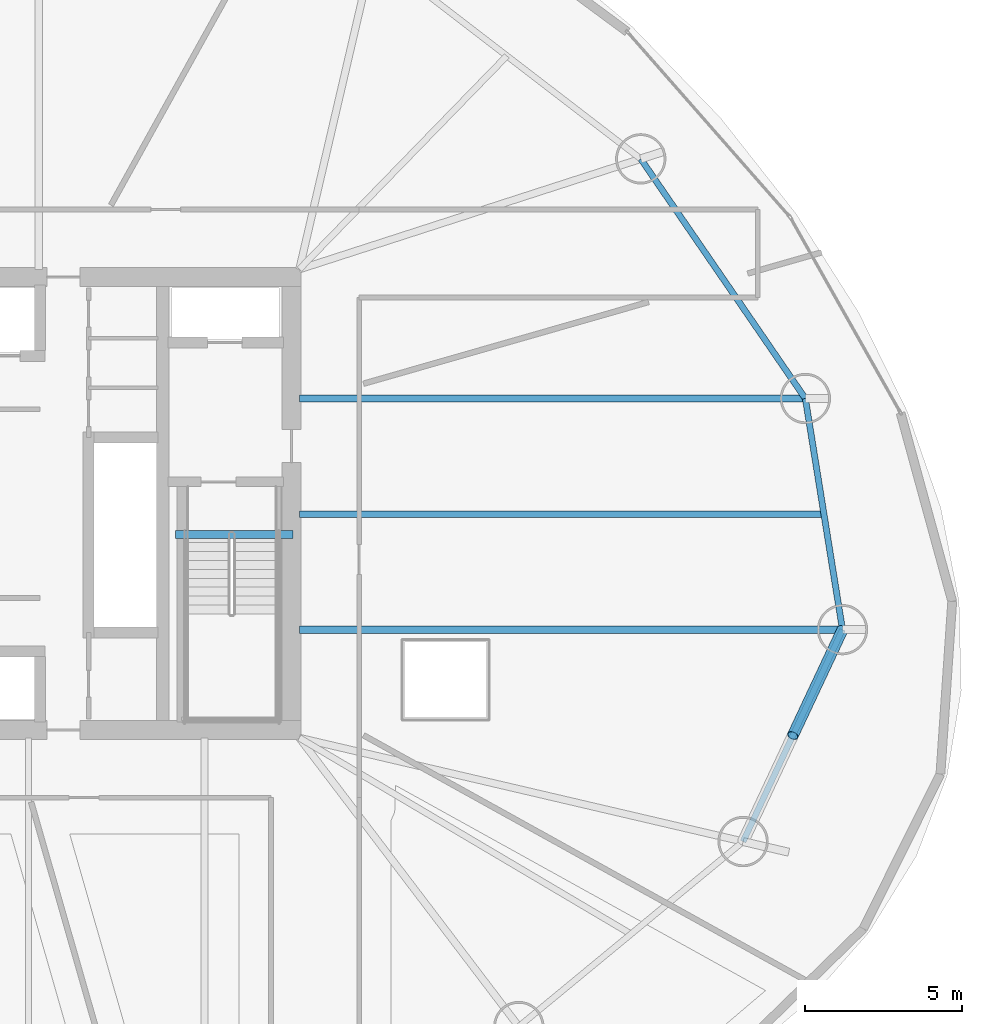
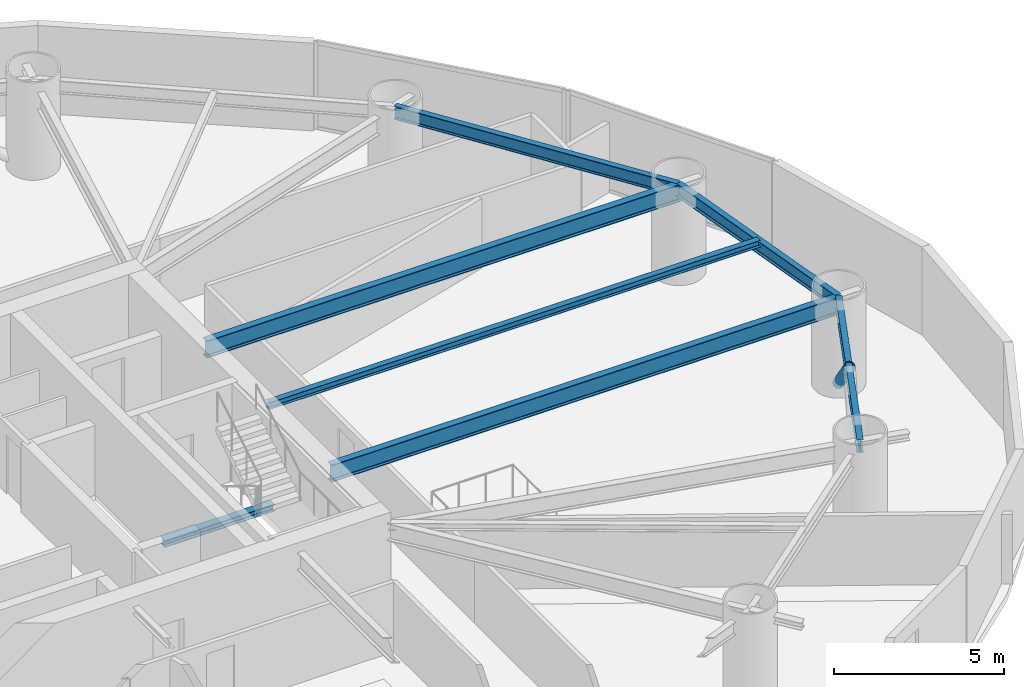
# One storey, part 9 of 25: 7 beams, 1 member.
"""IFC4 building model written with IfcOpenShell, lengths in metres."""

from ifc_helpers import new_model, si_unit, direction, frame, origin, origin_2d, place, context, subcontext, project, spatial, hollow_circle, i_section, extrude, material, material_profile, profile_set, type_object, element, save


model = new_model("IFC4")

# Units and contexts
model_context = context("Model", 3, precision=1e-05, world=origin(), true_north=direction((0.0, 1.0)))
body_context = subcontext(model_context, "Body", "Model", "MODEL_VIEW")
ifc_project = project(units=[si_unit("LENGTHUNIT", "METRE"), si_unit("AREAUNIT", "SQUARE_METRE"), si_unit("VOLUMEUNIT", "CUBIC_METRE"), si_unit("PLANEANGLEUNIT", "RADIAN"), si_unit("MASSUNIT", "GRAM", prefix="KILO")], contexts=[model_context])

# Site, building, storey
site_placement = place(None, origin())
site = spatial("IfcSite", under=ifc_project, at=site_placement, CompositionType="ELEMENT")
building_placement = place(site_placement, origin())
building = spatial("IfcBuilding", under=site, at=building_placement, Name="Bramvorn Convention Spire", CompositionType="ELEMENT")
storey_placement = place(building_placement, frame((0.0, 0.0, 93.89990234375)))
storey = spatial("IfcBuildingStorey", under=building, at=storey_placement, Name="L22", CompositionType="ELEMENT", Elevation=93.89990234375)

# Beams
ifc_material = material(Name="Steel CSA G40.21 Grade 350 (350W)", Category="steel")
ifc_material_profile_1 = material_profile(ifc_material, i_section(OverallWidth=0.201904296875, OverallDepth=0.2470703125, WebThickness=0.00732421875, FlangeThickness=0.010986328125, FilletRadius=0.011962890625, at=origin_2d()))
ifc_profile_set_1 = profile_set([ifc_material_profile_1], Name="Steel CSA G40.21 Grade 350 (350W) - W250X49")
beam_type_1 = type_object("IfcBeamType", Name="BM-W250X49", PredefinedType="JOIST", material=ifc_profile_set_1)
beam_1_placement = place(storey_placement, frame((49.25, 25.666015625, 3.026611328125), z_axis=(1.0, 0.0, 0.0), x_axis=(0.0, 1.0, 0.0)))
element("IfcBeam", 1, at=beam_1_placement, inside=storey, type_object=beam_type_1, Name="L22 composite floor joist 01", PredefinedType="JOIST", context=body_context, shape_type="SweptSolid", body=[
    extrude(i_section(OverallWidth=0.201904296875, OverallDepth=0.2470703125, WebThickness=0.00732421875, FlangeThickness=0.010986328125, FilletRadius=0.011962890625, at=origin_2d()), origin(), (0.0, 0.0, 1.0), 16.67919921875),
])
ifc_material_profile_2 = material_profile(ifc_material, i_section(OverallWidth=0.25390625, OverallDepth=0.2529296875, WebThickness=0.008544921875, FlangeThickness=0.01416015625, FilletRadius=0.011962890625, at=origin_2d()))
ifc_profile_set_2 = profile_set([ifc_material_profile_2], Name="Steel CSA G40.21 Grade 350 (350W) - W250X73")
beam_type_2 = type_object("IfcBeamType", Name="BM-W250X73", PredefinedType="BEAM", material=ifc_profile_set_2)
beam_2_placement = place(storey_placement, frame((45.31005859375, 25.010009765625, -0.12646484375), z_axis=(1.0, 0.0, 0.0), x_axis=(0.0, 1.0, 0.0)))
element("IfcBeam", 2, at=beam_2_placement, inside=storey, type_object=beam_type_2, Name="L22 ST2 stair arrival header beam", PredefinedType="BEAM", context=body_context, shape_type="SweptSolid", body=[
    extrude(i_section(OverallWidth=0.25390625, OverallDepth=0.2529296875, WebThickness=0.008544921875, FlangeThickness=0.01416015625, FilletRadius=0.011962890625, at=origin_2d()), origin(), (0.0, 0.0, 1.0), 3.739990234375),
])
ifc_material_profile_3 = material_profile(ifc_material, i_section(OverallWidth=0.194091796875, OverallDepth=0.468994140625, WebThickness=0.0126953125, FlangeThickness=0.0205078125, FilletRadius=0.01806640625, at=origin_2d()))
ifc_profile_set_3 = profile_set([ifc_material_profile_3], Name="Steel CSA G40.21 Grade 350 (350W) - W460X106")
beam_type_3 = type_object("IfcBeamType", Name="BM-W460X106", PredefinedType="SPANDREL", material=ifc_profile_set_3)
beam_3_placement = place(storey_placement, frame((66.519775390625, 21.99169921875, 2.91552734375), z_axis=(-0.158699222824, 0.987326975563, 0.0), x_axis=(-0.987326975563, -0.158699222824, 0.0)))
element("IfcBeam", 3, at=beam_3_placement, inside=storey, type_object=beam_type_3, Name="L22 mega-column ring beam 01", PredefinedType="SPANDREL", context=body_context, shape_type="SweptSolid", body=[
    extrude(i_section(OverallWidth=0.194091796875, OverallDepth=0.468994140625, WebThickness=0.0126953125, FlangeThickness=0.0205078125, FilletRadius=0.01806640625, at=origin_2d()), origin(), (0.0, 0.0, 1.0), 7.442626953125),
])
beam_4_placement = place(storey_placement, frame((65.338623046875, 29.340087890625, 2.91552734375), z_axis=(-0.566129730789, 0.824316157743, 0.0), x_axis=(-0.824316157743, -0.566129730789, 0.0)))
element("IfcBeam", 4, at=beam_4_placement, inside=storey, type_object=beam_type_3, Name="L22 mega-column ring beam 02", PredefinedType="SPANDREL", context=body_context, shape_type="SweptSolid", body=[
    extrude(i_section(OverallWidth=0.194091796875, OverallDepth=0.468994140625, WebThickness=0.0126953125, FlangeThickness=0.0205078125, FilletRadius=0.01806640625, at=origin_2d()), origin(), (0.0, 0.0, 1.0), 9.244140625),
])
beam_5_placement = place(storey_placement, frame((63.35888671875, 15.253662109375, 2.91552734375), z_axis=(0.424701955478, 0.9053332254, 0.0), x_axis=(-0.9053332254, 0.424701955478, 0.0)))
element("IfcBeam", 5, at=beam_5_placement, inside=storey, type_object=beam_type_3, Name="L22 mega-column ring beam 16", PredefinedType="SPANDREL", context=body_context, shape_type="SweptSolid", body=[
    extrude(i_section(OverallWidth=0.194091796875, OverallDepth=0.468994140625, WebThickness=0.0126953125, FlangeThickness=0.0205078125, FilletRadius=0.01806640625, at=origin_2d()), origin(), (0.0, 0.0, 1.0), 7.442626953125),
])
ifc_material_profile_4 = material_profile(ifc_material, i_section(OverallWidth=0.22998046875, OverallDepth=0.616943359375, WebThickness=0.01318359375, FlangeThickness=0.022216796875, FilletRadius=0.02001953125, at=origin_2d()))
ifc_profile_set_4 = profile_set([ifc_material_profile_4], Name="Steel CSA G40.21 Grade 350 (350W) - W610X140")
beam_type_4 = type_object("IfcBeamType", Name="BM-W610X140", PredefinedType="BEAM", material=ifc_profile_set_4)
beam_6_placement = place(storey_placement, frame((49.25, 21.99169921875, 2.841552734375), z_axis=(1.0, 0.0, 0.0), x_axis=(0.0, 1.0, 0.0)))
element("IfcBeam", 6, at=beam_6_placement, inside=storey, type_object=beam_type_4, Name="L22 radial floor girder MC01", PredefinedType="BEAM", context=body_context, shape_type="SweptSolid", body=[
    extrude(i_section(OverallWidth=0.22998046875, OverallDepth=0.616943359375, WebThickness=0.01318359375, FlangeThickness=0.022216796875, FilletRadius=0.02001953125, at=origin_2d()), origin(), (0.0, 0.0, 1.0), 17.269775390625),
])
beam_7_placement = place(storey_placement, frame((49.25, 29.340087890625, 2.841552734375), z_axis=(1.0, 0.0, 0.0), x_axis=(0.0, 1.0, 0.0)))
element("IfcBeam", 7, at=beam_7_placement, inside=storey, type_object=beam_type_4, Name="L22 radial floor girder MC02", PredefinedType="BEAM", context=body_context, shape_type="SweptSolid", body=[
    extrude(i_section(OverallWidth=0.22998046875, OverallDepth=0.616943359375, WebThickness=0.01318359375, FlangeThickness=0.022216796875, FilletRadius=0.02001953125, at=origin_2d()), origin(), (0.0, 0.0, 1.0), 16.088623046875),
])

# Member
ifc_material_profile_5 = material_profile(ifc_material, hollow_circle(Radius=0.177734375, WallThickness=0.015869140625, at=origin_2d()))
ifc_profile_set_5 = profile_set([ifc_material_profile_5], Name="Steel CSA G40.21 Grade 350 (350W) - CHS356X16")
member_type = type_object("IfcMemberType", Name="MBR-CHS356X16", PredefinedType="BRACE", material=ifc_profile_set_5)
member_placement = place(storey_placement, frame((66.519775390625, 21.99169921875, 0.0), z_axis=(-0.324181570377, -0.690976442637, 0.646109793416), x_axis=(0.905314694797, -0.424741454752, 0.0)))
element("IfcMember", 8, at=member_placement, inside=storey, type_object=member_type, Name="L22 perimeter Gothic lancet brace 16B", PredefinedType="BRACE", context=body_context, shape_type="SweptSolid", body=[
    extrude(hollow_circle(Radius=0.177734375, WallThickness=0.015869140625, at=origin_2d()), origin(), (0.0, 0.0, 1.0), 4.87548828125),
])

save(model, "model.ifc")
